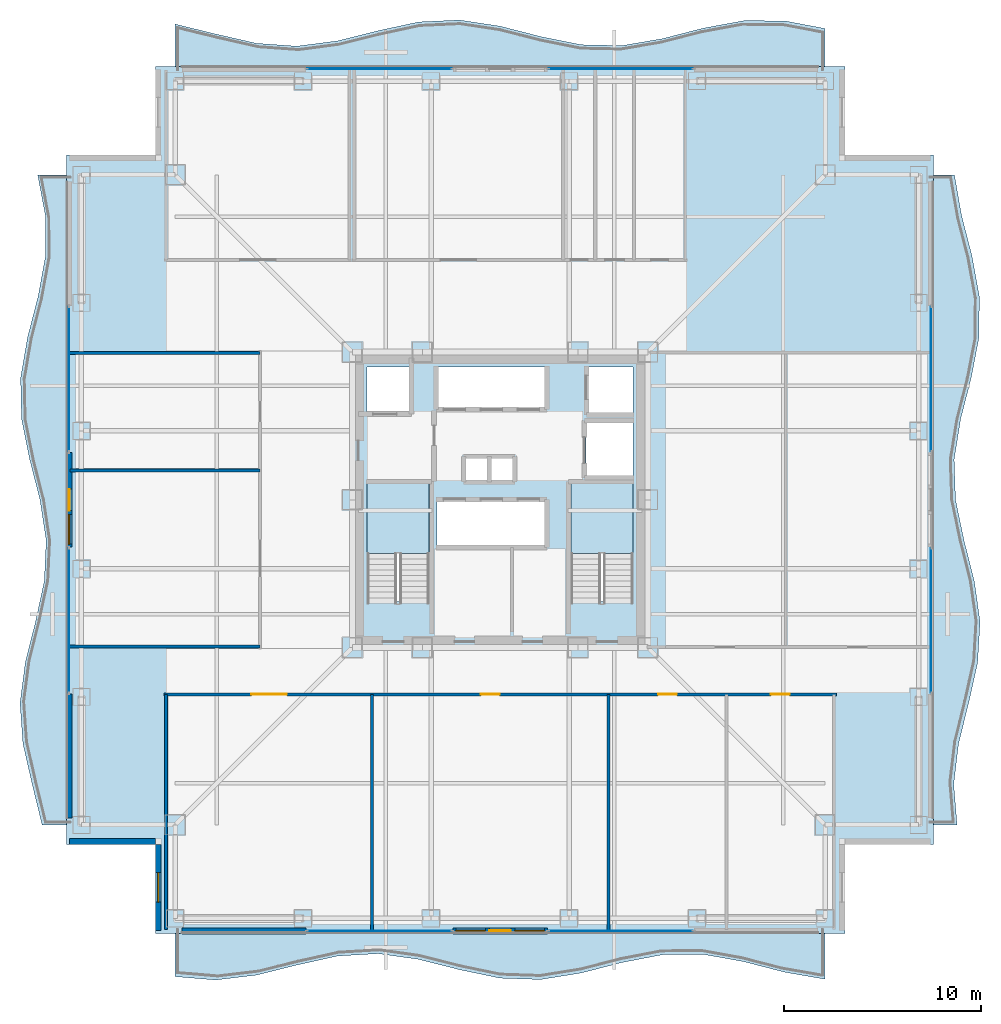
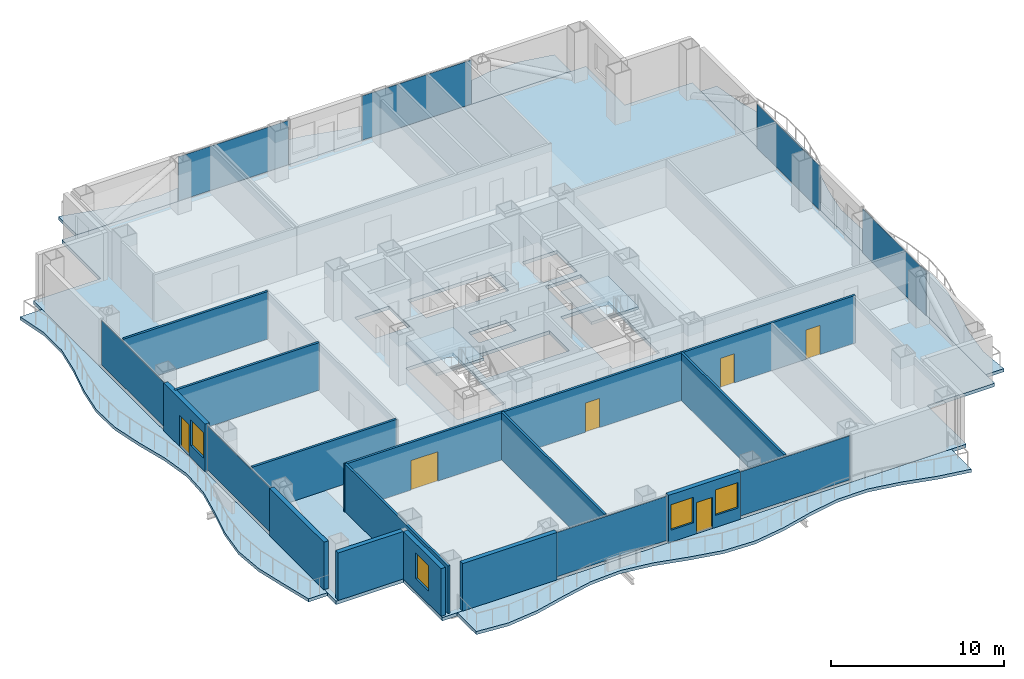
# One storey, part 11 of 18: 13 walls, 8 plates, 7 slabs, 6 doors, 4 windows, 10 openings, 10 elements without a shape of their own.
"""IFC4 building model written with IfcOpenShell, lengths in metres."""

import ifcopenshell
import ifcopenshell.guid

model = None  # the IFC model being written
_history = None  # IfcOwnerHistory: only IFC2X3 demands one
_inside = {}  # id of a spatial element -> (the spatial element, [elements in it])
_under = {}  # id of a project, library or spatial element -> (it, [spatial elements below it])
_declared = {}  # id of a project -> (the project, [libraries it declares])
_typed = {}  # id of a type object -> (the type object, [elements of that type])
_made_of = {}  # id of a material, layer set ... -> (it, [elements and type objects made of it])


def new_model(schema):
    """Start an empty IFC model of exactly this schema.

    Asked for "IFC4X3", IfcOpenShell would pick the latest addendum, in which some entities
    have other attributes; the version numbers below select the first issue.
    IFC2X3 requires an IfcOwnerHistory on every rooted entity: one is made here for all.
    """
    global model, _history
    if schema == "IFC4X3":
        model = ifcopenshell.file(schema_version=(4, 3, 0, 0))
    else:
        model = ifcopenshell.file(schema=schema)
    _inside.clear()
    _under.clear()
    _declared.clear()
    _typed.clear()
    _made_of.clear()
    _history = None
    if model.schema == "IFC2X3":
        org = make("IfcOrganization", Name="unknown")
        user = make(
            "IfcPersonAndOrganization",
            ThePerson=make("IfcPerson", FamilyName="unknown"),
            TheOrganization=org,
        )
        app = make(
            "IfcApplication",
            ApplicationDeveloper=org,
            Version="unknown",
            ApplicationFullName="unknown",
            ApplicationIdentifier="unknown",
        )
        _history = make(
            "IfcOwnerHistory",
            OwningUser=user,
            OwningApplication=app,
            ChangeAction="ADDED",
            CreationDate=0,
        )
    return model


def make(cls, **values):
    """One entity of the class cls with the attributes given. An attribute that is None is left unset."""
    return model.create_entity(
        cls, **{name: value for name, value in values.items() if value is not None}
    )


def rooted(cls, **values):
    """An entity with a GlobalId (a new one), such as an element, a storey or a relation."""
    return make(cls, GlobalId=ifcopenshell.guid.new(), OwnerHistory=_history, **values)


def si_unit(unit_type, name, prefix=None):
    """IfcSIUnit, for example si_unit("LENGTHUNIT", "METRE", prefix="MILLI")."""
    return make("IfcSIUnit", UnitType=unit_type, Prefix=prefix, Name=name)


def assignment(units):
    """IfcUnitAssignment: the units of a project."""
    return None if units is None else make("IfcUnitAssignment", Units=units)


def point(xyz):
    """IfcCartesianPoint."""
    return None if xyz is None else make("IfcCartesianPoint", Coordinates=xyz)


def direction(xyz):
    """IfcDirection."""
    return None if xyz is None else make("IfcDirection", DirectionRatios=xyz)


def frame(location, z_axis=None, x_axis=None):
    """IfcAxis2Placement3D, a coordinate frame: its origin and axes. An axis left out is left unset."""
    return make(
        "IfcAxis2Placement3D",
        Location=point(location),
        Axis=direction(z_axis),
        RefDirection=direction(x_axis),
    )


def frame_2d(location, x_axis=None):
    """IfcAxis2Placement2D, a coordinate frame in the plane: its origin and x axis."""
    return make(
        "IfcAxis2Placement2D", Location=point(location), RefDirection=direction(x_axis)
    )


def origin():
    """The frame at (0, 0, 0) with its axes left unset."""
    return frame((0.0, 0.0, 0.0))


def origin_2d():
    """The frame at (0, 0) in the plane with its x axis left unset."""
    return frame_2d((0.0, 0.0))


def place(relative_to, where):
    """IfcLocalPlacement: puts the frame where relative to a parent placement (None: the world)."""
    return make(
        "IfcLocalPlacement", PlacementRelTo=relative_to, RelativePlacement=where
    )


def context(
    kind, dimensions, precision=None, world=None, true_north=None, identifier=None
):
    """IfcGeometricRepresentationContext, for example the 3D "Model" context."""
    return make(
        "IfcGeometricRepresentationContext",
        ContextIdentifier=identifier,
        ContextType=kind,
        CoordinateSpaceDimension=dimensions,
        Precision=precision,
        WorldCoordinateSystem=world,
        TrueNorth=true_north,
    )


def subcontext(parent, identifier, kind, view, scale=None):
    """IfcGeometricRepresentationSubContext, for example "Body" below "Model"."""
    return make(
        "IfcGeometricRepresentationSubContext",
        ContextIdentifier=identifier,
        ContextType=kind,
        ParentContext=parent,
        TargetScale=scale,
        TargetView=view,
    )


def project(units=None, contexts=None):
    """IfcProject with its units and contexts."""
    return rooted(
        "IfcProject",
        Name="project",
        RepresentationContexts=contexts,
        UnitsInContext=assignment(units),
    )


def spatial(cls, under=None, at=None, **own):
    """A site, building, storey or space (cls), placed at a placement, below another one or the project."""
    s = rooted(cls, ObjectPlacement=at, **own)
    if under is not None:
        _under.setdefault(under.id(), (under, []))[1].append(s)
    return s


def polyline(points):
    """IfcPolyline through the points."""
    return make("IfcPolyline", Points=[point(p) for p in points])


def profile(cls, at=None, kind="AREA", **sizes):
    """A parametric profile (cls). Its sizes go by their IFC names, for example OverallWidth=200.0."""
    return make(cls, ProfileType=kind, Position=at, **sizes)


def rectangle(**sizes):
    """IfcRectangleProfileDef."""
    return profile("IfcRectangleProfileDef", **sizes)


def outline(outer, holes=None, kind="AREA"):
    """IfcArbitraryClosedProfileDef: a profile drawn as a closed curve; with holes, ...WithVoids."""
    if holes is None:
        return make("IfcArbitraryClosedProfileDef", ProfileType=kind, OuterCurve=outer)
    return make(
        "IfcArbitraryProfileDefWithVoids",
        ProfileType=kind,
        OuterCurve=outer,
        InnerCurves=holes,
    )


def extrude(swept, where, along, depth):
    """IfcExtrudedAreaSolid: the profile swept, set in the frame where, extruded along a direction by depth."""
    return make(
        "IfcExtrudedAreaSolid",
        SweptArea=swept,
        Position=where,
        ExtrudedDirection=direction(along),
        Depth=depth,
    )


def shape(context_of_items, identifier, shape_type, items):
    """IfcShapeRepresentation: the items that make up one representation, for example the "Body"."""
    return make(
        "IfcShapeRepresentation",
        ContextOfItems=context_of_items,
        RepresentationIdentifier=identifier,
        RepresentationType=shape_type,
        Items=items,
    )


def material(Name=None, Category=None):
    """IfcMaterial."""
    return make("IfcMaterial", Name=Name, Category=Category)


def layer(
    of_material, thickness, ventilated=None, Name=None, Category=None, Priority=None
):
    """IfcMaterialLayer: one layer of a wall or slab, of a material (None: an air gap)."""
    return make(
        "IfcMaterialLayer",
        Material=of_material,
        LayerThickness=thickness,
        IsVentilated=ventilated,
        Name=Name,
        Category=Category,
        Priority=Priority,
    )


def layer_set(layers, Name=None):
    """IfcMaterialLayerSet."""
    return make("IfcMaterialLayerSet", MaterialLayers=layers, LayerSetName=Name)


def made_of(thing, what):
    """Note that an element or type object is made of a material, layer set ...; save() writes the relation."""
    if what is not None:
        _made_of.setdefault(what.id(), (what, []))[1].append(thing)
    return thing


def type_object(cls, material=None, **own):
    """A type object (cls), such as IfcWallType, which elements share."""
    return made_of(rooted(cls, **own), material)


def element(
    cls,
    number,
    at=None,
    inside=None,
    cuts=None,
    type_object=None,
    material=None,
    context=None,
    identifier="Body",
    shape_type=None,
    held_by="IfcProductDefinitionShape",
    body=None,
    shapes=None,
    **own,
):
    """One element of the class cls, such as IfcWall. Its Tag is "e" and its number.

    at: its placement. inside: the storey or other place that contains it. cuts: it is an
    opening in that element (IfcRelVoidsElement). A single representation is given by context,
    identifier, shape_type and body (its items); several are given by shapes. held_by: the class
    of the entity that holds the representations. save() writes the other relations.
    """
    e = rooted(cls, Tag="e%d" % number, ObjectPlacement=at, **own)
    if body is not None:
        shapes = [shape(context, identifier, shape_type, body)]
    if shapes is not None:
        e.Representation = make(held_by, Representations=shapes)
    if inside is not None:
        _inside.setdefault(inside.id(), (inside, []))[1].append(e)
    if cuts is not None:
        rooted(
            "IfcRelVoidsElement", RelatingBuildingElement=cuts, RelatedOpeningElement=e
        )
    if type_object is not None:
        _typed.setdefault(type_object.id(), (type_object, []))[1].append(e)
    return made_of(e, material)


def fill(opening, filler):
    """IfcRelFillsElement: the door or window that sits in an opening."""
    return rooted(
        "IfcRelFillsElement",
        RelatingOpeningElement=opening,
        RelatedBuildingElement=filler,
    )


def aggregate(whole, parts):
    """IfcRelAggregates: a whole, such as a stair, and the parts it consists of."""
    return rooted("IfcRelAggregates", RelatingObject=whole, RelatedObjects=parts)


def save(model, path):
    """Write the relations noted so far, then the file.

    IfcRelAggregates (storeys below a building ...), IfcRelContainedInSpatialStructure (elements
    in a storey), IfcRelDefinesByType, IfcRelAssociatesMaterial and IfcRelDeclares: one each for
    every whole, place, type object, material and project.
    """
    for whole, parts in _under.values():
        aggregate(whole, parts)
    for where, things in _inside.values():
        rooted(
            "IfcRelContainedInSpatialStructure",
            RelatedElements=things,
            RelatingStructure=where,
        )
    for kind, things in _typed.values():
        rooted("IfcRelDefinesByType", RelatedObjects=things, RelatingType=kind)
    for what, things in _made_of.values():
        rooted("IfcRelAssociatesMaterial", RelatedObjects=things, RelatingMaterial=what)
    for by, libraries in _declared.values():
        rooted("IfcRelDeclares", RelatingContext=by, RelatedDefinitions=libraries)
    model.write(path)


model = new_model("IFC4")

# Units and contexts
model_context = context("Model", 3, precision=1e-05, world=origin(), true_north=direction((0.0, 1.0)))
body_context = subcontext(model_context, "Body", "Model", "MODEL_VIEW")
ifc_project = project(units=[si_unit("LENGTHUNIT", "METRE"), si_unit("AREAUNIT", "SQUARE_METRE"), si_unit("VOLUMEUNIT", "CUBIC_METRE"), si_unit("PLANEANGLEUNIT", "RADIAN"), si_unit("MASSUNIT", "GRAM", prefix="KILO")], contexts=[model_context])

# Site, building, storey
site_placement = place(None, origin())
site = spatial("IfcSite", under=ifc_project, at=site_placement, CompositionType="ELEMENT")
building_placement = place(site_placement, origin())
building = spatial("IfcBuilding", under=site, at=building_placement, Name="Trevonay Congress Spire", CompositionType="ELEMENT")
storey_placement = place(building_placement, frame((0.0, 0.0, 122.800048828125)))
storey = spatial("IfcBuildingStorey", under=building, at=storey_placement, Name="L31", CompositionType="ELEMENT", Elevation=122.800048828125)

# Curtain wall, plate
ifc_material_1 = material(Name="Pale Anodised Aluminium EN AW-6063-T6", Category="aluminium")
ifc_layer_1 = layer(ifc_material_1, 0.175048828125, Name="Pale Anodised Aluminium EN AW-6063-T6")
ifc_layer_set_1 = layer_set([ifc_layer_1], Name="Pale Anodised Aluminium EN AW-6063-T6")
curtain_wall_type = type_object("IfcCurtainWallType", Name="CW-SYS03-CONGRESS-PALE-METAL", PredefinedType="NOTDEFINED", material=ifc_layer_set_1)
curtain_wall_1_placement = place(storey_placement, origin())
curtain_wall_1 = element("IfcCurtainWall", 1, at=curtain_wall_1_placement, inside=storey, type_object=curtain_wall_type, Name="L31 SA unitised curtain wall", PredefinedType="NOTDEFINED")
ifc_material_2 = material(Name="Insulated Low-E Vision Glass IGU", Category="glass")
ifc_layer_2 = layer(ifc_material_2, 0.035888671875, Name="Insulated Low-E Vision Glass IGU")
ifc_layer_set_2 = layer_set([ifc_layer_2], Name="Insulated Low-E Vision Glass IGU")
plate_type = type_object("IfcPlateType", Name="CW-PANEL-IGU36-SILVER", PredefinedType="CURTAIN_PANEL", material=ifc_layer_set_2)
plate_1_placement = place(storey_placement, frame((-6.125, -21.8798828125, 0.119873046875), z_axis=(0.0, 0.0, 1.0), x_axis=(1.0, 0.0, 0.0)))
plate_1 = element("IfcPlate", 2, at=plate_1_placement, type_object=plate_type, Name="CW03 panel 1.1", PredefinedType="CURTAIN_PANEL", context=body_context, shape_type="SweptSolid", body=[
    extrude(rectangle(XDim=7.330078125, YDim=0.035888671875, at=origin_2d()), origin(), (0.0, 0.0, 1.0), 3.1201171875),
])
aggregate(curtain_wall_1, [plate_1])

curtain_wall_2_placement = place(storey_placement, origin())
curtain_wall_2 = element("IfcCurtainWall", 3, at=curtain_wall_2_placement, inside=storey, type_object=curtain_wall_type, Name="L31 SB unitised curtain wall", PredefinedType="NOTDEFINED")
plate_2_placement = place(storey_placement, frame((6.125, -21.8798828125, 0.119873046875), z_axis=(0.0, 0.0, 1.0), x_axis=(1.0, 0.0, 0.0)))
plate_2 = element("IfcPlate", 4, at=plate_2_placement, type_object=plate_type, Name="CW03 panel 1.1", PredefinedType="CURTAIN_PANEL", context=body_context, shape_type="SweptSolid", body=[
    extrude(rectangle(XDim=7.330078125, YDim=0.035888671875, at=origin_2d()), origin(), (0.0, 0.0, 1.0), 3.1201171875),
])
aggregate(curtain_wall_2, [plate_2])

curtain_wall_3_placement = place(storey_placement, origin())
curtain_wall_3 = element("IfcCurtainWall", 5, at=curtain_wall_3_placement, inside=storey, type_object=curtain_wall_type, Name="L31 NA unitised curtain wall", PredefinedType="NOTDEFINED")
plate_3_placement = place(storey_placement, frame((-6.125, 21.8798828125, 0.119873046875), z_axis=(0.0, 0.0, 1.0), x_axis=(1.0, 0.0, 0.0)))
plate_3 = element("IfcPlate", 6, at=plate_3_placement, type_object=plate_type, Name="CW03 panel 1.1", PredefinedType="CURTAIN_PANEL", context=body_context, shape_type="SweptSolid", body=[
    extrude(rectangle(XDim=7.330078125, YDim=0.035888671875, at=origin_2d()), origin(), (0.0, 0.0, 1.0), 3.1201171875),
])
aggregate(curtain_wall_3, [plate_3])

curtain_wall_4_placement = place(storey_placement, origin())
curtain_wall_4 = element("IfcCurtainWall", 7, at=curtain_wall_4_placement, inside=storey, type_object=curtain_wall_type, Name="L31 NB unitised curtain wall", PredefinedType="NOTDEFINED")
plate_4_placement = place(storey_placement, frame((6.125, 21.8798828125, 0.119873046875), z_axis=(0.0, 0.0, 1.0), x_axis=(1.0, 0.0, 0.0)))
plate_4 = element("IfcPlate", 8, at=plate_4_placement, type_object=plate_type, Name="CW03 panel 1.1", PredefinedType="CURTAIN_PANEL", context=body_context, shape_type="SweptSolid", body=[
    extrude(rectangle(XDim=7.330078125, YDim=0.035888671875, at=origin_2d()), origin(), (0.0, 0.0, 1.0), 3.1201171875),
])
aggregate(curtain_wall_4, [plate_4])

curtain_wall_5_placement = place(storey_placement, origin())
curtain_wall_5 = element("IfcCurtainWall", 9, at=curtain_wall_5_placement, inside=storey, type_object=curtain_wall_type, Name="L31 WA unitised curtain wall", PredefinedType="NOTDEFINED")
plate_5_placement = place(storey_placement, frame((-21.8798828125, -6.125, 0.119873046875), z_axis=(0.0, 0.0, 1.0), x_axis=(0.0, 1.0, 0.0)))
plate_5 = element("IfcPlate", 10, at=plate_5_placement, type_object=plate_type, Name="CW03 panel 1.1", PredefinedType="CURTAIN_PANEL", context=body_context, shape_type="SweptSolid", body=[
    extrude(rectangle(XDim=7.330078125, YDim=0.035888671875, at=origin_2d()), origin(), (0.0, 0.0, 1.0), 3.1201171875),
])
aggregate(curtain_wall_5, [plate_5])

curtain_wall_6_placement = place(storey_placement, origin())
curtain_wall_6 = element("IfcCurtainWall", 11, at=curtain_wall_6_placement, inside=storey, type_object=curtain_wall_type, Name="L31 WB unitised curtain wall", PredefinedType="NOTDEFINED")
plate_6_placement = place(storey_placement, frame((-21.8798828125, 6.125, 0.119873046875), z_axis=(0.0, 0.0, 1.0), x_axis=(0.0, 1.0, 0.0)))
plate_6 = element("IfcPlate", 12, at=plate_6_placement, type_object=plate_type, Name="CW03 panel 1.1", PredefinedType="CURTAIN_PANEL", context=body_context, shape_type="SweptSolid", body=[
    extrude(rectangle(XDim=7.330078125, YDim=0.035888671875, at=origin_2d()), origin(), (0.0, 0.0, 1.0), 3.1201171875),
])
aggregate(curtain_wall_6, [plate_6])

curtain_wall_7_placement = place(storey_placement, origin())
curtain_wall_7 = element("IfcCurtainWall", 13, at=curtain_wall_7_placement, inside=storey, type_object=curtain_wall_type, Name="L31 EA unitised curtain wall", PredefinedType="NOTDEFINED")
plate_7_placement = place(storey_placement, frame((21.8798828125, -6.125, 0.119873046875), z_axis=(0.0, 0.0, 1.0), x_axis=(0.0, 1.0, 0.0)))
plate_7 = element("IfcPlate", 14, at=plate_7_placement, type_object=plate_type, Name="CW03 panel 1.1", PredefinedType="CURTAIN_PANEL", context=body_context, shape_type="SweptSolid", body=[
    extrude(rectangle(XDim=7.330078125, YDim=0.035888671875, at=origin_2d()), origin(), (0.0, 0.0, 1.0), 3.1201171875),
])
aggregate(curtain_wall_7, [plate_7])

curtain_wall_8_placement = place(storey_placement, origin())
curtain_wall_8 = element("IfcCurtainWall", 15, at=curtain_wall_8_placement, inside=storey, type_object=curtain_wall_type, Name="L31 EB unitised curtain wall", PredefinedType="NOTDEFINED")
plate_8_placement = place(storey_placement, frame((21.8798828125, 6.125, 0.119873046875), z_axis=(0.0, 0.0, 1.0), x_axis=(0.0, 1.0, 0.0)))
plate_8 = element("IfcPlate", 16, at=plate_8_placement, type_object=plate_type, Name="CW03 panel 1.1", PredefinedType="CURTAIN_PANEL", context=body_context, shape_type="SweptSolid", body=[
    extrude(rectangle(XDim=7.330078125, YDim=0.035888671875, at=origin_2d()), origin(), (0.0, 0.0, 1.0), 3.1201171875),
])
aggregate(curtain_wall_8, [plate_8])

# Stair, slab
ifc_material_3 = material(Name="Concrete C40/50", Category="concrete")
stair_type_1 = type_object("IfcStairType", Name="STR-ST-1", PredefinedType="HALF_TURN_STAIR", material=ifc_material_3)
stair_1_placement = place(storey_placement, origin())
stair_1 = element("IfcStair", 17, at=stair_1_placement, inside=storey, type_object=stair_type_1, Name="L31 Protected Exit Stair ST-1", PredefinedType="HALF_TURN_STAIR")
ifc_layer_3 = layer(ifc_material_3, 0.199951171875, Name="Concrete C40/50")
ifc_layer_set_3 = layer_set([ifc_layer_3], Name="Concrete C40/50")
slab_type_1 = type_object("IfcSlabType", Name="SLB-STAIR-LAND-200", PredefinedType="LANDING", material=ifc_layer_set_3)
slab_1_placement = place(storey_placement, frame((0.0, 0.0, 1.599853515625)))
slab_1 = element("IfcSlab", 18, at=slab_1_placement, type_object=slab_type_1, Name="ST-1 landing 1", PredefinedType="LANDING", context=body_context, shape_type="SweptSolid", body=[
    extrude(outline(polyline([(-3.60009765625, -2.72998046875), (-3.60009765625, 0.85009765625), (-6.75, 0.85009765625), (-6.75, -2.72998046875), (-3.60009765625, -2.72998046875)])), origin(), (0.0, 0.0, 1.0), 0.2001953125),
])
aggregate(stair_1, [slab_1])

stair_type_2 = type_object("IfcStairType", Name="STR-ST-2", PredefinedType="HALF_TURN_STAIR", material=ifc_material_3)
stair_2_placement = place(storey_placement, origin())
stair_2 = element("IfcStair", 19, at=stair_2_placement, inside=storey, type_object=stair_type_2, Name="L31 Protected Exit Stair ST-2", PredefinedType="HALF_TURN_STAIR")
slab_2_placement = place(storey_placement, frame((0.0, 0.0, 1.599853515625)))
slab_2 = element("IfcSlab", 20, at=slab_2_placement, type_object=slab_type_1, Name="ST-2 landing 1", PredefinedType="LANDING", context=body_context, shape_type="SweptSolid", body=[
    extrude(outline(polyline([(6.75, -2.72998046875), (6.75, 0.85009765625), (3.60009765625, 0.85009765625), (3.60009765625, -2.72998046875), (6.75, -2.72998046875)])), origin(), (0.0, 0.0, 1.0), 0.2001953125),
])
aggregate(stair_2, [slab_2])

# Slabs
ifc_layer_4 = layer(ifc_material_3, 0.239990234375, Name="Concrete C40/50")
ifc_layer_set_4 = layer_set([ifc_layer_4], Name="Concrete C40/50")
slab_type_2 = type_object("IfcSlabType", Name="SLB-TOW2-240", PredefinedType="FLOOR", material=ifc_layer_set_4)
slab_3_placement = place(storey_placement, frame((0.0, 0.0, -0.239990234375)))
element("IfcSlab", 21, at=slab_3_placement, inside=storey, type_object=slab_type_2, Name="L31 structural floor slab", PredefinedType="FLOOR", context=body_context, shape_type="SweptSolid", body=[
    extrude(outline(polyline([(-17.5, -22.0), (17.5, -22.0), (17.5, -17.5), (22.0, -17.5), (22.0, 17.5), (17.5, 17.5), (17.5, 22.0), (-17.5, 22.0), (-17.5, 17.5), (-22.0, 17.5), (-22.0, -17.5), (-17.5, -17.5), (-17.5, -22.0)]), holes=[polyline([(-3.60009765625, -5.14990234375), (-3.60009765625, 0.85009765625), (-6.75, 0.85009765625), (-6.75, -5.14990234375), (-3.60009765625, -5.14990234375)]), polyline([(6.75, -5.14990234375), (6.75, 0.85009765625), (3.60009765625, 0.85009765625), (3.60009765625, -5.14990234375), (6.75, -5.14990234375)]), polyline([(-3.199951171875, -2.35009765625), (2.340087890625, -2.35009765625), (2.340087890625, -0.050048828125), (-3.199951171875, -0.050048828125), (-3.199951171875, -2.35009765625)]), polyline([(-3.199951171875, 4.64990234375), (2.340087890625, 4.64990234375), (2.340087890625, 6.75), (-3.199951171875, 6.75), (-3.199951171875, 4.64990234375)]), polyline([(-6.75, 4.35009765625), (-4.449951171875, 4.35009765625), (-4.449951171875, 6.75), (-6.75, 6.75), (-6.75, 4.35009765625)]), polyline([(4.449951171875, 4.35009765625), (6.75, 4.35009765625), (6.75, 6.75), (4.449951171875, 6.75), (4.449951171875, 4.35009765625)]), polyline([(4.35009765625, 1.199951171875), (6.75, 1.199951171875), (6.75, 3.949951171875), (4.35009765625, 3.949951171875), (4.35009765625, 1.199951171875)]), polyline([(-1.800048828125, 0.949951171875), (0.699951171875, 0.949951171875), (0.699951171875, 2.14990234375), (-1.800048828125, 2.14990234375), (-1.800048828125, 0.949951171875)])]), origin(), (0.0, 0.0, 1.0), 0.239990234375),
])
ifc_layer_5 = layer(ifc_material_3, 0.219970703125, Name="Concrete C40/50")
ifc_layer_set_5 = layer_set([ifc_layer_5], Name="Concrete C40/50")
slab_type_3 = type_object("IfcSlabType", Name="SLB-WAVE-220", PredefinedType="FLOOR", material=ifc_layer_set_5)
slab_4_placement = place(storey_placement, frame((0.0, 0.0, -0.219970703125)))
element("IfcSlab", 22, at=slab_4_placement, inside=storey, type_object=slab_type_3, Name="L31 sinusoidal louvre-balcony deck S", PredefinedType="FLOOR", context=body_context, shape_type="SweptSolid", body=[
    extrude(outline(polyline([(-16.5, -24.201904296875), (-14.43798828125, -24.373046875), (-12.375, -24.126953125), (-10.31201171875, -23.614990234375), (-8.25, -23.156982421875), (-6.18798828125, -23.034912109375), (-4.125, -23.326904296875), (-2.06201171875, -23.85009765625), (0.0, -24.280029296875), (2.06201171875, -24.35009765625), (4.125, -24.01611328125), (6.18798828125, -23.486083984375), (8.25, -23.089111328125), (10.31201171875, -23.071044921875), (12.375, -23.444091796875), (14.43798828125, -23.97607421875), (16.5, -24.3359375), (16.5, -22.0), (14.43798828125, -22.0), (12.375, -22.0), (10.31201171875, -22.0), (8.25, -22.0), (6.18798828125, -22.0), (4.125, -22.0), (2.06201171875, -22.0), (0.0, -22.0), (-2.06201171875, -22.0), (-4.125, -22.0), (-6.18798828125, -22.0), (-8.25, -22.0), (-10.31201171875, -22.0), (-12.375, -22.0), (-14.43798828125, -22.0), (-16.5, -22.0), (-16.5, -24.201904296875)])), origin(), (0.0, 0.0, 1.0), 0.219970703125),
])
slab_5_placement = place(storey_placement, frame((0.0, 0.0, -0.219970703125)))
element("IfcSlab", 23, at=slab_5_placement, inside=storey, type_object=slab_type_3, Name="L31 sinusoidal louvre-balcony deck N", PredefinedType="FLOOR", context=body_context, shape_type="SweptSolid", body=[
    extrude(outline(polyline([(-16.5, 22.0), (-14.43798828125, 22.0), (-12.375, 22.0), (-10.31201171875, 22.0), (-8.25, 22.0), (-6.18798828125, 22.0), (-4.125, 22.0), (-2.06201171875, 22.0), (0.0, 22.0), (2.06201171875, 22.0), (4.125, 22.0), (6.18798828125, 22.0), (8.25, 22.0), (10.31201171875, 22.0), (12.375, 22.0), (14.43798828125, 22.0), (16.5, 22.0), (16.5, 23.925048828125), (14.43798828125, 24.31591796875), (12.375, 24.323974609375), (10.31201171875, 23.945068359375), (8.25, 23.4130859375), (6.18798828125, 23.06005859375), (4.125, 23.10400390625), (2.06201171875, 23.51806640625), (0.0, 24.044921875), (-2.06201171875, 24.35791015625), (-4.125, 24.261962890625), (-6.18798828125, 23.81689453125), (-8.25, 23.300048828125), (-10.31201171875, 23.030029296875), (-12.375, 23.177001953125), (-14.43798828125, 23.64794921875), (-16.5, 24.152099609375), (-16.5, 22.0)])), origin(), (0.0, 0.0, 1.0), 0.219970703125),
])
slab_6_placement = place(storey_placement, frame((0.0, 0.0, -0.219970703125)))
element("IfcSlab", 24, at=slab_6_placement, inside=storey, type_object=slab_type_3, Name="L31 sinusoidal louvre-balcony deck E", PredefinedType="FLOOR", context=body_context, shape_type="SweptSolid", body=[
    extrude(outline(polyline([(23.197998046875, -16.5), (23.027099609375, -14.43798828125), (23.27294921875, -12.375), (23.784912109375, -10.31201171875), (24.242919921875, -8.25), (24.364990234375, -6.18798828125), (24.072998046875, -4.125), (23.550048828125, -2.06201171875), (23.1201171875, 0.0), (23.050048828125, 2.06201171875), (23.384033203125, 4.125), (23.9140625, 6.18798828125), (24.31103515625, 8.25), (24.3291015625, 10.31201171875), (23.9560546875, 12.375), (23.424072265625, 14.43798828125), (23.06396484375, 16.5), (22.0, 16.5), (22.0, 14.43798828125), (22.0, 12.375), (22.0, 10.31201171875), (22.0, 8.25), (22.0, 6.18798828125), (22.0, 4.125), (22.0, 2.06201171875), (22.0, 0.0), (22.0, -2.06201171875), (22.0, -4.125), (22.0, -6.18798828125), (22.0, -8.25), (22.0, -10.31201171875), (22.0, -12.375), (22.0, -14.43798828125), (22.0, -16.5), (23.197998046875, -16.5)])), origin(), (0.0, 0.0, 1.0), 0.219970703125),
])
slab_7_placement = place(storey_placement, frame((0.0, 0.0, -0.219970703125)))
element("IfcSlab", 25, at=slab_7_placement, inside=storey, type_object=slab_type_3, Name="L31 sinusoidal louvre-balcony deck W", PredefinedType="FLOOR", context=body_context, shape_type="SweptSolid", body=[
    extrude(outline(polyline([(-22.0, -16.5), (-22.0, -14.43798828125), (-22.0, -12.375), (-22.0, -10.31201171875), (-22.0, -8.25), (-22.0, -6.18798828125), (-22.0, -4.125), (-22.0, -2.06201171875), (-22.0, 0.0), (-22.0, 2.06201171875), (-22.0, 4.125), (-22.0, 6.18798828125), (-22.0, 8.25), (-22.0, 10.31201171875), (-22.0, 12.375), (-22.0, 14.43798828125), (-22.0, 16.5), (-23.47509765625, 16.5), (-23.083984375, 14.43798828125), (-23.075927734375, 12.375), (-23.455078125, 10.31201171875), (-23.987060546875, 8.25), (-24.340087890625, 6.18798828125), (-24.2958984375, 4.125), (-23.882080078125, 2.06201171875), (-23.35498046875, 0.0), (-23.0419921875, -2.06201171875), (-23.137939453125, -4.125), (-23.5830078125, -6.18798828125), (-24.10009765625, -8.25), (-24.3701171875, -10.31201171875), (-24.222900390625, -12.375), (-23.751953125, -14.43798828125), (-23.248046875, -16.5), (-22.0, -16.5)])), origin(), (0.0, 0.0, 1.0), 0.219970703125),
])

# Wall, openings, doors
ifc_layer_6 = layer(ifc_material_3, 0.14990234375, Name="Concrete C40/50")
ifc_layer_set_6 = layer_set([ifc_layer_6], Name="Concrete C40/50")
wall_type_1 = type_object("IfcWallType", Name="WAL-CORR-150", PredefinedType="PARTITIONING", material=ifc_layer_set_6)
wall_1_placement = place(storey_placement, frame((-17.070068359375, -9.8798828125, 0.0), z_axis=(0.0, 0.0, 1.0), x_axis=(1.0, 0.0, 0.0)))
wall_1 = element("IfcWall", 26, at=wall_1_placement, inside=storey, type_object=wall_type_1, Name="L31 interior wall WP-L31S-COR", PredefinedType="PARTITIONING", context=body_context, shape_type="SweptSolid", body=[
    extrude(rectangle(XDim=34.14013671875, YDim=0.14990234375, at=frame_2d((17.070068359375, 0.0))), origin(), (0.0, 0.0, 1.0), 3.35986328125),
])
opening_1_placement = place(wall_1_placement, frame((4.445068359375, 0.0, 0.0)))
opening_1 = element("IfcOpeningElement", 27, at=opening_1_placement, cuts=wall_1, Name="Opening D09", PredefinedType="OPENING", context=body_context, shape_type="SweptSolid", body=[
    extrude(rectangle(XDim=1.800048828125, YDim=2.080078125, at=frame_2d((0.89990234375, 1.0400390625))), frame((0.0, 0.0849609375, 0.0), z_axis=(0.0, -1.0, 0.0), x_axis=(1.0, 0.0, 0.0)), (0.0, 0.0, 1.0), 0.169921875),
])
opening_2_placement = place(wall_1_placement, frame((16.094970703125, 0.0, 0.0)))
opening_2 = element("IfcOpeningElement", 28, at=opening_2_placement, cuts=wall_1, Name="Opening D07", PredefinedType="OPENING", context=body_context, shape_type="SweptSolid", body=[
    extrude(rectangle(XDim=0.949951171875, YDim=2.06005859375, at=frame_2d((0.47509765625, 1.030029296875))), frame((0.0, 0.0849609375, 0.0), z_axis=(0.0, -1.0, 0.0), x_axis=(1.0, 0.0, 0.0)), (0.0, 0.0, 1.0), 0.169921875),
])
opening_3_placement = place(wall_1_placement, frame((25.094970703125, 0.0, 0.0)))
opening_3 = element("IfcOpeningElement", 29, at=opening_3_placement, cuts=wall_1, Name="Opening D07", PredefinedType="OPENING", context=body_context, shape_type="SweptSolid", body=[
    extrude(rectangle(XDim=0.949951171875, YDim=2.06005859375, at=frame_2d((0.47509765625, 1.030029296875))), frame((0.0, 0.0849609375, 0.0), z_axis=(0.0, -1.0, 0.0), x_axis=(1.0, 0.0, 0.0)), (0.0, 0.0, 1.0), 0.169921875),
])
opening_4_placement = place(wall_1_placement, frame((30.820068359375, 0.0, 0.0)))
opening_4 = element("IfcOpeningElement", 30, at=opening_4_placement, cuts=wall_1, Name="Opening D07", PredefinedType="OPENING", context=body_context, shape_type="SweptSolid", body=[
    extrude(rectangle(XDim=0.949951171875, YDim=2.06005859375, at=frame_2d((0.47509765625, 1.030029296875))), frame((0.0, 0.0849609375, 0.0), z_axis=(0.0, -1.0, 0.0), x_axis=(1.0, 0.0, 0.0)), (0.0, 0.0, 1.0), 0.169921875),
])
door_type_1 = type_object("IfcDoorType", Name="DOR-CONF-DBL", OperationType="DOUBLE_DOOR_SINGLE_SWING", PredefinedType="DOOR", material=ifc_material_1)
door_1_placement = place(opening_1_placement, origin())
door_1 = element("IfcDoor", 31, at=door_1_placement, inside=storey, type_object=door_type_1, Name="L31 Delegates Dining Restaurant West Door", OperationType="DOUBLE_DOOR_SINGLE_SWING", OverallHeight=2.080078125, OverallWidth=1.800048828125, PredefinedType="DOOR", context=body_context, shape_type="SweptSolid", body=[
    extrude(rectangle(XDim=1.800048828125, YDim=2.080078125, at=frame_2d((0.89990234375, 1.0400390625))), frame((0.0, 0.02490234375, 0.0), z_axis=(0.0, -1.0, 0.0), x_axis=(1.0, 0.0, 0.0)), (0.0, 0.0, 1.0), 0.050048828125),
])
fill(opening_1, door_1)
door_type_2 = type_object("IfcDoorType", Name="DOR-OFFICE-95", OperationType="NOTDEFINED", PredefinedType="DOOR", material=ifc_material_1)
door_2_placement = place(opening_2_placement, origin())
door_2 = element("IfcDoor", 32, at=door_2_placement, inside=storey, type_object=door_type_2, Name="L31 Culinary Archive Office Door", OperationType="SINGLE_SWING_RIGHT", OverallHeight=2.06005859375, OverallWidth=0.949951171875, PredefinedType="DOOR", context=body_context, shape_type="SweptSolid", body=[
    extrude(rectangle(XDim=0.949951171875, YDim=2.06005859375, at=frame_2d((0.47509765625, 1.030029296875))), frame((0.0, 0.02490234375, 0.0), z_axis=(0.0, -1.0, 0.0), x_axis=(1.0, 0.0, 0.0)), (0.0, 0.0, 1.0), 0.050048828125),
])
fill(opening_2, door_2)
door_3_placement = place(opening_3_placement, origin())
door_3 = element("IfcDoor", 33, at=door_3_placement, inside=storey, type_object=door_type_2, Name="L31 Main Finishing Kitchen Door", OperationType="SINGLE_SWING_LEFT", OverallHeight=2.06005859375, OverallWidth=0.949951171875, PredefinedType="DOOR", context=body_context, shape_type="SweptSolid", body=[
    extrude(rectangle(XDim=0.949951171875, YDim=2.06005859375, at=frame_2d((0.47509765625, 1.030029296875))), frame((0.0, 0.02490234375, 0.0), z_axis=(0.0, -1.0, 0.0), x_axis=(1.0, 0.0, 0.0)), (0.0, 0.0, 1.0), 0.050048828125),
])
fill(opening_3, door_3)
door_4_placement = place(opening_4_placement, origin())
door_4 = element("IfcDoor", 34, at=door_4_placement, inside=storey, type_object=door_type_2, Name="L31 Dishwash and Pastry Pantry Door", OperationType="SINGLE_SWING_RIGHT", OverallHeight=2.06005859375, OverallWidth=0.949951171875, PredefinedType="DOOR", context=body_context, shape_type="SweptSolid", body=[
    extrude(rectangle(XDim=0.949951171875, YDim=2.06005859375, at=frame_2d((0.47509765625, 1.030029296875))), frame((0.0, 0.02490234375, 0.0), z_axis=(0.0, -1.0, 0.0), x_axis=(1.0, 0.0, 0.0)), (0.0, 0.0, 1.0), 0.050048828125),
])
fill(opening_4, door_4)

# Wall
ifc_material_4 = material(Name="Precast concrete C40/50", Category="concrete")
ifc_layer_7 = layer(ifc_material_4, 0.300048828125, Name="Precast concrete C40/50")
ifc_layer_set_7 = layer_set([ifc_layer_7], Name="Precast concrete C40/50")
wall_type_2 = type_object("IfcWallType", Name="WAL-EXT-PRECAST-300", PredefinedType="SOLIDWALL", material=ifc_layer_set_7)
wall_2_placement = place(storey_placement, frame((-16.14990234375, -21.8798828125, 0.0), z_axis=(0.0, 0.0, 1.0), x_axis=(1.0, 0.0, 0.0)))
element("IfcWall", 35, at=wall_2_placement, inside=storey, type_object=wall_type_2, Name="L31 SL braced-bay exterior pier wall", PredefinedType="SOLIDWALL", context=body_context, shape_type="SweptSolid", body=[
    extrude(rectangle(XDim=6.2998046875, YDim=0.300048828125, at=frame_2d((3.14990234375, 0.0))), origin(), (0.0, 0.0, 1.0), 3.35986328125),
])

# Wall, openings, door, windows
wall_3_placement = place(storey_placement, frame((-2.39990234375, -21.8798828125, 0.0), z_axis=(0.0, 0.0, 1.0), x_axis=(1.0, 0.0, 0.0)))
wall_3 = element("IfcWall", 36, at=wall_3_placement, inside=storey, type_object=wall_type_2, Name="L31 S glazed balcony portal exterior wall", PredefinedType="SOLIDWALL", context=body_context, shape_type="SweptSolid", body=[
    extrude(rectangle(XDim=4.7998046875, YDim=0.300048828125, at=frame_2d((2.39990234375, 0.0))), origin(), (0.0, 0.0, 1.0), 3.35986328125),
])
opening_5_placement = place(wall_3_placement, frame((1.85009765625, 0.0, 0.0)))
opening_5 = element("IfcOpeningElement", 37, at=opening_5_placement, cuts=wall_3, Name="Opening D03", PredefinedType="OPENING", context=body_context, shape_type="SweptSolid", body=[
    extrude(rectangle(XDim=1.10009765625, YDim=2.199951171875, at=frame_2d((0.550048828125, 1.10009765625))), frame((0.0, 0.16015625, 0.0), z_axis=(0.0, -1.0, 0.0), x_axis=(1.0, 0.0, 0.0)), (0.0, 0.0, 1.0), 0.320068359375),
])
opening_6_placement = place(wall_3_placement, frame((0.14990234375, 0.0, 0.85009765625)))
opening_6 = element("IfcOpeningElement", 38, at=opening_6_placement, cuts=wall_3, Name="Opening WN03", PredefinedType="OPENING", context=body_context, shape_type="SweptSolid", body=[
    extrude(rectangle(XDim=1.5, YDim=1.800048828125, at=frame_2d((0.75, 0.89990234375))), frame((0.0, 0.16015625, 0.0), z_axis=(0.0, -1.0, 0.0), x_axis=(1.0, 0.0, 0.0)), (0.0, 0.0, 1.0), 0.320068359375),
])
opening_7_placement = place(wall_3_placement, frame((3.14990234375, 0.0, 0.85009765625)))
opening_7 = element("IfcOpeningElement", 39, at=opening_7_placement, cuts=wall_3, Name="Opening WN03", PredefinedType="OPENING", context=body_context, shape_type="SweptSolid", body=[
    extrude(rectangle(XDim=1.5, YDim=1.800048828125, at=frame_2d((0.75, 0.89990234375))), frame((0.0, 0.16015625, 0.0), z_axis=(0.0, -1.0, 0.0), x_axis=(1.0, 0.0, 0.0)), (0.0, 0.0, 1.0), 0.320068359375),
])
door_type_3 = type_object("IfcDoorType", Name="DOR-EXT-BAL-110", OperationType="NOTDEFINED", PredefinedType="DOOR", material=ifc_material_1)
door_5_placement = place(opening_5_placement, origin())
door_5 = element("IfcDoor", 40, at=door_5_placement, inside=storey, type_object=door_type_3, Name="L31 S glazed outdoor terrace and balcony door", OperationType="SINGLE_SWING_LEFT", OverallHeight=2.199951171875, OverallWidth=1.10009765625, PredefinedType="DOOR", context=body_context, shape_type="SweptSolid", body=[
    extrude(rectangle(XDim=1.10009765625, YDim=2.199951171875, at=frame_2d((0.550048828125, 1.10009765625))), frame((0.0, 0.02490234375, 0.0), z_axis=(0.0, -1.0, 0.0), x_axis=(1.0, 0.0, 0.0)), (0.0, 0.0, 1.0), 0.050048828125),
])
fill(opening_5, door_5)
window_type = type_object("IfcWindowType", Name="WIN-NOTCH-150X180", PartitioningType="SINGLE_PANEL", PredefinedType="WINDOW", material=ifc_material_2)
window_1_placement = place(opening_6_placement, origin())
window_1 = element("IfcWindow", 41, at=window_1_placement, inside=storey, type_object=window_type, Name="L31 S balcony sidelight window L", OverallHeight=1.800048828125, OverallWidth=1.5, PartitioningType="SINGLE_PANEL", PredefinedType="WINDOW", context=body_context, shape_type="SweptSolid", body=[
    extrude(rectangle(XDim=1.5, YDim=1.800048828125, at=frame_2d((0.75, 0.89990234375))), frame((0.0, 0.030029296875, 0.0), z_axis=(0.0, -1.0, 0.0), x_axis=(1.0, 0.0, 0.0)), (0.0, 0.0, 1.0), 0.06005859375),
])
fill(opening_6, window_1)
window_2_placement = place(opening_7_placement, origin())
window_2 = element("IfcWindow", 42, at=window_2_placement, inside=storey, type_object=window_type, Name="L31 S balcony sidelight window R", OverallHeight=1.800048828125, OverallWidth=1.5, PartitioningType="SINGLE_PANEL", PredefinedType="WINDOW", context=body_context, shape_type="SweptSolid", body=[
    extrude(rectangle(XDim=1.5, YDim=1.800048828125, at=frame_2d((0.75, 0.89990234375))), frame((0.0, 0.030029296875, 0.0), z_axis=(0.0, -1.0, 0.0), x_axis=(1.0, 0.0, 0.0)), (0.0, 0.0, 1.0), 0.06005859375),
])
fill(opening_7, window_2)

# Wall
wall_4_placement = place(storey_placement, frame((-21.8798828125, -16.14990234375, 0.0), z_axis=(0.0, 0.0, 1.0), x_axis=(0.0, 1.0, 0.0)))
element("IfcWall", 43, at=wall_4_placement, inside=storey, type_object=wall_type_2, Name="L31 WL braced-bay exterior pier wall", PredefinedType="SOLIDWALL", context=body_context, shape_type="SweptSolid", body=[
    extrude(rectangle(XDim=6.2998046875, YDim=0.300048828125, at=frame_2d((3.14990234375, 0.0))), origin(), (0.0, 0.0, 1.0), 3.35986328125),
])

# Wall, openings, door, window
wall_5_placement = place(storey_placement, frame((-21.8798828125, -2.39990234375, 0.0), z_axis=(0.0, 0.0, 1.0), x_axis=(0.0, 1.0, 0.0)))
wall_5 = element("IfcWall", 44, at=wall_5_placement, inside=storey, type_object=wall_type_2, Name="L31 W glazed balcony portal exterior wall", PredefinedType="SOLIDWALL", context=body_context, shape_type="SweptSolid", body=[
    extrude(rectangle(XDim=4.7998046875, YDim=0.300048828125, at=frame_2d((2.39990234375, 0.0))), origin(), (0.0, 0.0, 1.0), 3.35986328125),
])
opening_8_placement = place(wall_5_placement, frame((1.85009765625, 0.0, 0.0)))
opening_8 = element("IfcOpeningElement", 45, at=opening_8_placement, cuts=wall_5, Name="Opening D03", PredefinedType="OPENING", context=body_context, shape_type="SweptSolid", body=[
    extrude(rectangle(XDim=1.10009765625, YDim=2.199951171875, at=frame_2d((0.550048828125, 1.10009765625))), frame((0.0, 0.16015625, 0.0), z_axis=(0.0, -1.0, 0.0), x_axis=(1.0, 0.0, 0.0)), (0.0, 0.0, 1.0), 0.320068359375),
])
opening_9_placement = place(wall_5_placement, frame((0.14990234375, 0.0, 0.85009765625)))
opening_9 = element("IfcOpeningElement", 46, at=opening_9_placement, cuts=wall_5, Name="Opening WN03", PredefinedType="OPENING", context=body_context, shape_type="SweptSolid", body=[
    extrude(rectangle(XDim=1.5, YDim=1.800048828125, at=frame_2d((0.75, 0.89990234375))), frame((0.0, 0.16015625, 0.0), z_axis=(0.0, -1.0, 0.0), x_axis=(1.0, 0.0, 0.0)), (0.0, 0.0, 1.0), 0.320068359375),
])
door_6_placement = place(opening_8_placement, origin())
door_6 = element("IfcDoor", 47, at=door_6_placement, inside=storey, type_object=door_type_3, Name="L31 W glazed outdoor terrace and balcony door", OperationType="SINGLE_SWING_LEFT", OverallHeight=2.199951171875, OverallWidth=1.10009765625, PredefinedType="DOOR", context=body_context, shape_type="SweptSolid", body=[
    extrude(rectangle(XDim=1.10009765625, YDim=2.199951171875, at=frame_2d((0.550048828125, 1.10009765625))), frame((0.0, 0.02490234375, 0.0), z_axis=(0.0, -1.0, 0.0), x_axis=(1.0, 0.0, 0.0)), (0.0, 0.0, 1.0), 0.050048828125),
])
fill(opening_8, door_6)
window_3_placement = place(opening_9_placement, origin())
window_3 = element("IfcWindow", 48, at=window_3_placement, inside=storey, type_object=window_type, Name="L31 W balcony sidelight window L", OverallHeight=1.800048828125, OverallWidth=1.5, PartitioningType="SINGLE_PANEL", PredefinedType="WINDOW", context=body_context, shape_type="SweptSolid", body=[
    extrude(rectangle(XDim=1.5, YDim=1.800048828125, at=frame_2d((0.75, 0.89990234375))), frame((0.0, 0.030029296875, 0.0), z_axis=(0.0, -1.0, 0.0), x_axis=(1.0, 0.0, 0.0)), (0.0, 0.0, 1.0), 0.06005859375),
])
fill(opening_9, window_3)

# Wall, opening, window
wall_6_placement = place(storey_placement, frame((-17.35009765625, -21.85009765625, 0.0), z_axis=(0.0, 0.0, 1.0), x_axis=(0.0, 1.0, 0.0)))
wall_6 = element("IfcWall", 49, at=wall_6_placement, inside=storey, type_object=wall_type_2, Name="L31 SW re-entrant notch exterior wall 1", PredefinedType="SOLIDWALL", context=body_context, shape_type="SweptSolid", body=[
    extrude(rectangle(XDim=4.35009765625, YDim=0.300048828125, at=frame_2d((2.175048828125, 0.0))), origin(), (0.0, 0.0, 1.0), 3.35986328125),
])
opening_10_placement = place(wall_6_placement, frame((1.425048828125, 0.0, 0.89990234375)))
opening_10 = element("IfcOpeningElement", 50, at=opening_10_placement, cuts=wall_6, Name="Opening WN03", PredefinedType="OPENING", context=body_context, shape_type="SweptSolid", body=[
    extrude(rectangle(XDim=1.5, YDim=1.800048828125, at=frame_2d((0.75, 0.89990234375))), frame((0.0, 0.16015625, 0.0), z_axis=(0.0, -1.0, 0.0), x_axis=(1.0, 0.0, 0.0)), (0.0, 0.0, 1.0), 0.320068359375),
])
window_4_placement = place(opening_10_placement, origin())
window_4 = element("IfcWindow", 51, at=window_4_placement, inside=storey, type_object=window_type, Name="L31 SW corner notch window", OverallHeight=1.800048828125, OverallWidth=1.5, PartitioningType="SINGLE_PANEL", PredefinedType="WINDOW", context=body_context, shape_type="SweptSolid", body=[
    extrude(rectangle(XDim=1.5, YDim=1.800048828125, at=frame_2d((0.75, 0.89990234375))), frame((0.0, 0.030029296875, 0.0), z_axis=(0.0, -1.0, 0.0), x_axis=(1.0, 0.0, 0.0)), (0.0, 0.0, 1.0), 0.06005859375),
])
fill(opening_10, window_4)

# Walls
wall_7_placement = place(storey_placement, frame((-21.85009765625, -17.35009765625, 0.0), z_axis=(0.0, 0.0, 1.0), x_axis=(1.0, 0.0, 0.0)))
element("IfcWall", 52, at=wall_7_placement, inside=storey, type_object=wall_type_2, Name="L31 SW re-entrant notch exterior wall 2", PredefinedType="SOLIDWALL", context=body_context, shape_type="SweptSolid", body=[
    extrude(rectangle(XDim=4.35009765625, YDim=0.300048828125, at=frame_2d((2.175048828125, 0.0))), origin(), (0.0, 0.0, 1.0), 3.35986328125),
])
ifc_layer_8 = layer(ifc_material_3, 0.14990234375, Name="Concrete C40/50")
ifc_layer_set_8 = layer_set([ifc_layer_8], Name="Concrete C40/50")
wall_type_3 = type_object("IfcWallType", Name="WAL-PART-150", PredefinedType="PARTITIONING", material=ifc_layer_set_8)
for number, where, z_axis, x_axis, name in (
    (53, (-16.949951171875, -21.820068359375, 0.0), (0.0, 0.0, 1.0), (0.0, 1.0, 0.0), "L31 interior wall WP-L31S-DIV1"),
    (54, (-6.5, -21.820068359375, 0.0), (0.0, 0.0, 1.0), (0.0, 1.0, 0.0), "L31 interior wall WP-L31S-DIV2"),
    (55, (5.5, -21.820068359375, 0.0), (0.0, 0.0, 1.0), (0.0, 1.0, 0.0), "L31 interior wall WP-L31S-DIV3"),
):
    element("IfcWall", number, at=place(storey_placement, frame(where, z_axis=z_axis, x_axis=x_axis)), inside=storey, type_object=wall_type_3, Name=name, PredefinedType="PARTITIONING", context=body_context, shape_type="SweptSolid", body=[
        extrude(rectangle(XDim=11.940185546875, YDim=0.14990234375, at=frame_2d((5.97021484375, 0.0))), origin(), (0.0, 0.0, 1.0), 3.35986328125),
    ])
for number, where, z_axis, x_axis, name in (
    (56, (-21.820068359375, -7.449951171875, 0.0), (0.0, 0.0, 1.0), (1.0, 0.0, 0.0), "L31 interior wall WP-L31W-DIV1"),
    (57, (-21.820068359375, 1.5, 0.0), (0.0, 0.0, 1.0), (1.0, 0.0, 0.0), "L31 interior wall WP-L31W-DIV2"),
    (58, (-21.820068359375, 7.449951171875, 0.0), (0.0, 0.0, 1.0), (1.0, 0.0, 0.0), "L31 interior wall WP-L31W-DIV3"),
):
    element("IfcWall", number, at=place(storey_placement, frame(where, z_axis=z_axis, x_axis=x_axis)), inside=storey, type_object=wall_type_3, Name=name, PredefinedType="PARTITIONING", context=body_context, shape_type="SweptSolid", body=[
        extrude(rectangle(XDim=9.64013671875, YDim=0.14990234375, at=frame_2d((4.820068359375, 0.0))), origin(), (0.0, 0.0, 1.0), 3.35986328125),
    ])

save(model, "model.ifc")
